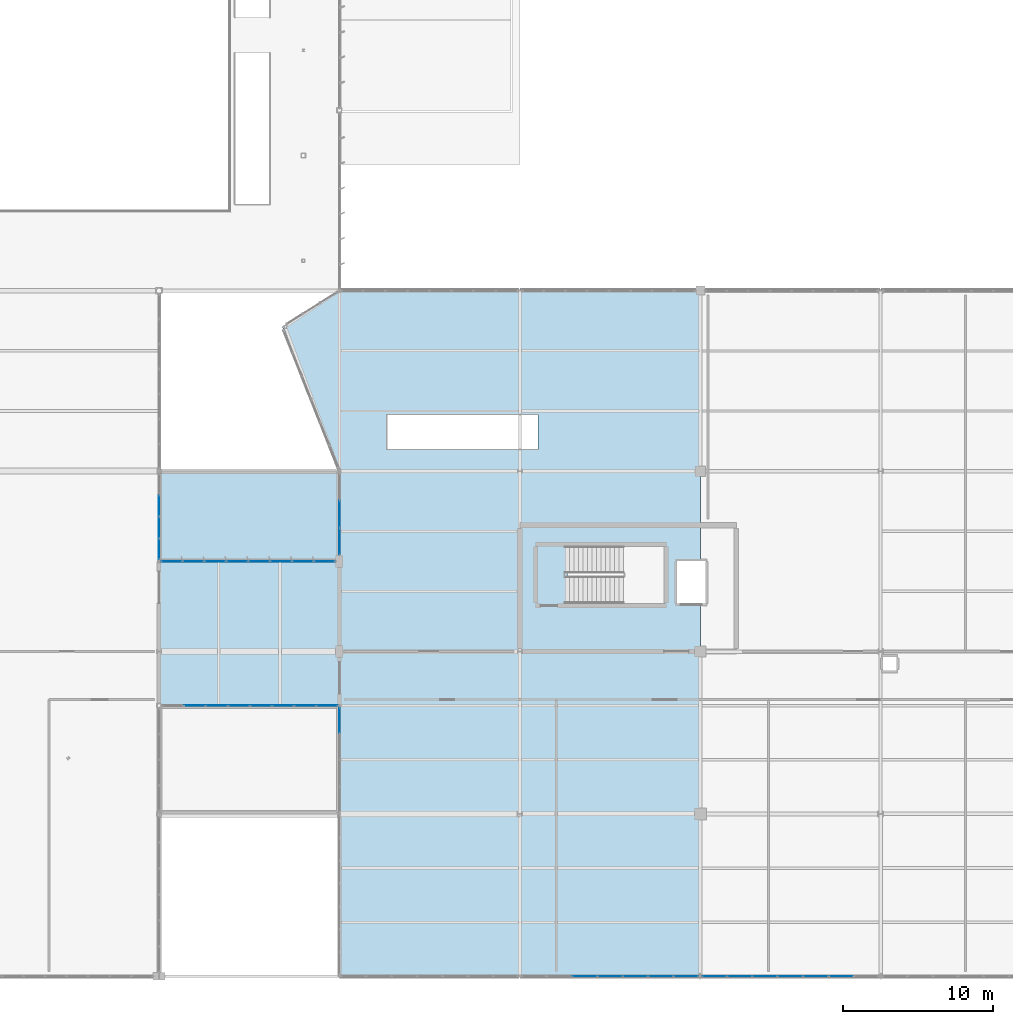
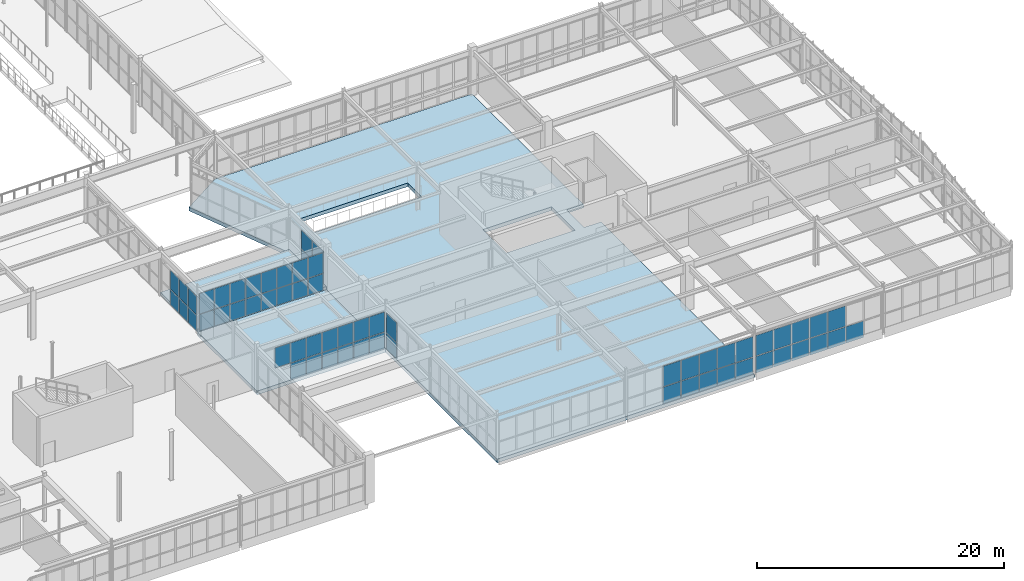
# One storey, part 144 of 226: 62 plates, 3 slabs, 7 elements without a shape of their own.
"""IFC4 building model written with IfcOpenShell, lengths in metres."""

from ifc_helpers import new_model, si_unit, direction, frame, origin, origin_2d, place, context, subcontext, project, spatial, polyline, rectangle, outline, extrude, material, layer, layer_set, type_object, element, aggregate, save


model = new_model("IFC4")

# Units and contexts
model_context = context("Model", 3, precision=1e-05, world=origin(), true_north=direction((0.0, 1.0)))
body_context = subcontext(model_context, "Body", "Model", "MODEL_VIEW")
ifc_project = project(units=[si_unit("LENGTHUNIT", "METRE"), si_unit("AREAUNIT", "SQUARE_METRE"), si_unit("VOLUMEUNIT", "CUBIC_METRE"), si_unit("PLANEANGLEUNIT", "RADIAN"), si_unit("MASSUNIT", "GRAM", prefix="KILO")], contexts=[model_context])

# Site, building, storey
site_placement = place(None, origin())
site = spatial("IfcSite", under=ifc_project, at=site_placement, CompositionType="ELEMENT")
building_placement = place(site_placement, origin())
building = spatial("IfcBuilding", under=site, at=building_placement, Name="Tarnwether General Hospital", CompositionType="ELEMENT")
storey_placement = place(building_placement, frame((0.0, 0.0, 4.800048828125)))
storey = spatial("IfcBuildingStorey", under=building, at=storey_placement, Name="L01", CompositionType="ELEMENT", Elevation=4.800048828125)

# Curtain wall, plates
ifc_material_1 = material(Name="Anodised aluminium", Category="aluminium")
ifc_layer_1 = layer(ifc_material_1, 0.159912109375)
ifc_layer_set_1 = layer_set([ifc_layer_1], Name="Anodised aluminium")
curtain_wall_type_1 = type_object("IfcCurtainWallType", Name="CW-15", PredefinedType="NOTDEFINED", material=ifc_layer_set_1)
curtain_wall_1_placement = place(storey_placement, origin())
curtain_wall_1 = element("IfcCurtainWall", 1, at=curtain_wall_1_placement, inside=storey, type_object=curtain_wall_type_1, Name="Curtain Wall CWG-L01-1440_109-0364", PredefinedType="NOTDEFINED")
ifc_material_2 = material(Name="Double glazed low-E glass", Category="glass")
ifc_layer_2 = layer(ifc_material_2, 0.028076171875)
ifc_layer_set_2 = layer_set([ifc_layer_2], Name="Double glazed low-E glass")
plate_type = type_object("IfcPlateType", Name="PT-CWP1", PredefinedType="CURTAIN_PANEL", material=ifc_layer_set_2)
plate_1_placement = place(storey_placement, frame((144.0, 17.032470703125, 0.06005859375), z_axis=(0.0, 0.0, 1.0), x_axis=(0.0, 1.0, 0.0)))
plate_1 = element("IfcPlate", 2, at=plate_1_placement, type_object=plate_type, Name="CW-15 panel 4.1", PredefinedType="CURTAIN_PANEL", context=body_context, shape_type="SweptSolid", body=[
    extrude(rectangle(XDim=1.675048828125, YDim=0.028076171875, at=origin_2d()), origin(), (0.0, 0.0, 1.0), 1.56591796875),
])
plate_2_placement = place(storey_placement, frame((144.0, 17.032470703125, 1.685791015625), z_axis=(0.0, 0.0, 1.0), x_axis=(0.0, 1.0, 0.0)))
plate_2 = element("IfcPlate", 3, at=plate_2_placement, type_object=plate_type, Name="CW-15 panel 4.2", PredefinedType="CURTAIN_PANEL", context=body_context, shape_type="SweptSolid", body=[
    extrude(rectangle(XDim=1.675048828125, YDim=0.028076171875, at=origin_2d()), origin(), (0.0, 0.0, 1.0), 1.93408203125),
])
aggregate(curtain_wall_1, [plate_1, plate_2])

curtain_wall_2_placement = place(storey_placement, origin())
curtain_wall_2 = element("IfcCurtainWall", 4, at=curtain_wall_2_placement, inside=storey, type_object=curtain_wall_type_1, Name="Curtain Wall CWG-L01-1320_335-0366", PredefinedType="NOTDEFINED")
plate_3_placement = place(storey_placement, frame((132.0, 31.297607421875, 0.059814453125), z_axis=(0.0, 0.0, 1.0), x_axis=(0.0, -1.0, 0.0)))
plate_3 = element("IfcPlate", 5, at=plate_3_placement, type_object=plate_type, Name="CW-15 panel 2.1", PredefinedType="CURTAIN_PANEL", context=body_context, shape_type="SweptSolid", body=[
    extrude(rectangle(XDim=1.38427734375, YDim=0.028076171875, at=origin_2d()), origin(), (0.0, 0.0, 1.0), 1.49853515625),
])
plate_4_placement = place(storey_placement, frame((132.0, 31.297607421875, 1.618408203125), z_axis=(0.0, 0.0, 1.0), x_axis=(0.0, -1.0, 0.0)))
plate_4 = element("IfcPlate", 6, at=plate_4_placement, type_object=plate_type, Name="CW-15 panel 2.2", PredefinedType="CURTAIN_PANEL", context=body_context, shape_type="SweptSolid", body=[
    extrude(rectangle(XDim=1.38427734375, YDim=0.028076171875, at=origin_2d()), origin(), (0.0, 0.0, 1.0), 1.8515625),
])
plate_5_placement = place(storey_placement, frame((132.0, 29.853271484375, 0.059814453125), z_axis=(0.0, 0.0, 1.0), x_axis=(0.0, -1.0, 0.0)))
plate_5 = element("IfcPlate", 7, at=plate_5_placement, type_object=plate_type, Name="CW-15 panel 3.1", PredefinedType="CURTAIN_PANEL", context=body_context, shape_type="SweptSolid", body=[
    extrude(rectangle(XDim=1.38427734375, YDim=0.028076171875, at=origin_2d()), origin(), (0.0, 0.0, 1.0), 1.49853515625),
])
plate_6_placement = place(storey_placement, frame((132.0, 29.853271484375, 1.618408203125), z_axis=(0.0, 0.0, 1.0), x_axis=(0.0, -1.0, 0.0)))
plate_6 = element("IfcPlate", 8, at=plate_6_placement, type_object=plate_type, Name="CW-15 panel 3.2", PredefinedType="CURTAIN_PANEL", context=body_context, shape_type="SweptSolid", body=[
    extrude(rectangle(XDim=1.38427734375, YDim=0.028076171875, at=origin_2d()), origin(), (0.0, 0.0, 1.0), 1.8515625),
])
plate_7_placement = place(storey_placement, frame((132.0, 28.424072265625, 0.059814453125), z_axis=(0.0, 0.0, 1.0), x_axis=(0.0, -1.0, 0.0)))
plate_7 = element("IfcPlate", 9, at=plate_7_placement, type_object=plate_type, Name="CW-15 panel 4.1", PredefinedType="CURTAIN_PANEL", context=body_context, shape_type="SweptSolid", body=[
    extrude(rectangle(XDim=1.354248046875, YDim=0.028076171875, at=origin_2d()), origin(), (0.0, 0.0, 1.0), 1.49853515625),
])
plate_8_placement = place(storey_placement, frame((132.0, 28.424072265625, 1.618408203125), z_axis=(0.0, 0.0, 1.0), x_axis=(0.0, -1.0, 0.0)))
plate_8 = element("IfcPlate", 10, at=plate_8_placement, type_object=plate_type, Name="CW-15 panel 4.2", PredefinedType="CURTAIN_PANEL", context=body_context, shape_type="SweptSolid", body=[
    extrude(rectangle(XDim=1.354248046875, YDim=0.028076171875, at=origin_2d()), origin(), (0.0, 0.0, 1.0), 1.8515625),
])
aggregate(curtain_wall_2, [plate_3, plate_4, plate_5, plate_6, plate_7, plate_8])

curtain_wall_3_placement = place(storey_placement, origin())
curtain_wall_3 = element("IfcCurtainWall", 11, at=curtain_wall_3_placement, inside=storey, type_object=curtain_wall_type_1, Name="Curtain Wall CWG-L01-1440_280-0367", PredefinedType="NOTDEFINED")
plate_9_placement = place(storey_placement, frame((144.0, 28.9326171875, 0.059814453125), z_axis=(0.0, 0.0, 1.0), x_axis=(0.0, 1.0, 0.0)))
plate_9 = element("IfcPlate", 12, at=plate_9_placement, type_object=plate_type, Name="CW-15 panel 1.1", PredefinedType="CURTAIN_PANEL", context=body_context, shape_type="SweptSolid", body=[
    extrude(rectangle(XDim=1.72900390625, YDim=0.028076171875, at=origin_2d()), origin(), (0.0, 0.0, 1.0), 1.49853515625),
])
plate_10_placement = place(storey_placement, frame((144.0, 28.9326171875, 1.618408203125), z_axis=(0.0, 0.0, 1.0), x_axis=(0.0, 1.0, 0.0)))
plate_10 = element("IfcPlate", 13, at=plate_10_placement, type_object=plate_type, Name="CW-15 panel 1.2", PredefinedType="CURTAIN_PANEL", context=body_context, shape_type="SweptSolid", body=[
    extrude(rectangle(XDim=1.72900390625, YDim=0.028076171875, at=origin_2d()), origin(), (0.0, 0.0, 1.0), 1.8515625),
])
plate_11_placement = place(storey_placement, frame((144.0, 30.736572265625, 0.059814453125), z_axis=(0.0, 0.0, 1.0), x_axis=(0.0, 1.0, 0.0)))
plate_11 = element("IfcPlate", 14, at=plate_11_placement, type_object=plate_type, Name="CW-15 panel 2.1", PredefinedType="CURTAIN_PANEL", context=body_context, shape_type="SweptSolid", body=[
    extrude(rectangle(XDim=1.759033203125, YDim=0.028076171875, at=origin_2d()), origin(), (0.0, 0.0, 1.0), 1.49853515625),
])
plate_12_placement = place(storey_placement, frame((144.0, 30.736572265625, 1.618408203125), z_axis=(0.0, 0.0, 1.0), x_axis=(0.0, 1.0, 0.0)))
plate_12 = element("IfcPlate", 15, at=plate_12_placement, type_object=plate_type, Name="CW-15 panel 2.2", PredefinedType="CURTAIN_PANEL", context=body_context, shape_type="SweptSolid", body=[
    extrude(rectangle(XDim=1.759033203125, YDim=0.028076171875, at=origin_2d()), origin(), (0.0, 0.0, 1.0), 1.8515625),
])
aggregate(curtain_wall_3, [plate_9, plate_10, plate_11, plate_12])

ifc_material_3 = material(Name="Anodised aluminium", Category="aluminium")
ifc_layer_3 = layer(ifc_material_3, 0.159912109375)
ifc_layer_set_3 = layer_set([ifc_layer_3], Name="Anodised aluminium")
curtain_wall_type_2 = type_object("IfcCurtainWallType", Name="CW-19", PredefinedType="NOTDEFINED", material=ifc_layer_set_3)
curtain_wall_4_placement = place(storey_placement, origin())
curtain_wall_4 = element("IfcCurtainWall", 16, at=curtain_wall_4_placement, inside=storey, type_object=curtain_wall_type_2, Name="Curtain Wall CWG-L01-1799_0-0384", PredefinedType="NOTDEFINED")
plate_13_placement = place(storey_placement, frame((177.364013671875, 0.0, 0.059814453125), z_axis=(0.0, 0.0, 1.0), x_axis=(-1.0, 0.0, 0.0)))
plate_13 = element("IfcPlate", 17, at=plate_13_placement, type_object=plate_type, Name="CW-19 panel 2.1", PredefinedType="CURTAIN_PANEL", context=body_context, shape_type="SweptSolid", body=[
    extrude(rectangle(XDim=1.627197265625, YDim=0.028076171875, at=origin_2d()), origin(), (0.0, 0.0, 1.0), 1.63037109375),
])
plate_14_placement = place(storey_placement, frame((175.6767578125, 0.0, 0.059814453125), z_axis=(0.0, 0.0, 1.0), x_axis=(-1.0, 0.0, 0.0)))
plate_14 = element("IfcPlate", 18, at=plate_14_placement, type_object=plate_type, Name="CW-19 panel 3.1", PredefinedType="CURTAIN_PANEL", context=body_context, shape_type="SweptSolid", body=[
    extrude(rectangle(XDim=1.627197265625, YDim=0.028076171875, at=origin_2d()), origin(), (0.0, 0.0, 1.0), 1.63037109375),
])
plate_15_placement = place(storey_placement, frame((175.6767578125, 0.0, 1.750244140625), z_axis=(0.0, 0.0, 1.0), x_axis=(-1.0, 0.0, 0.0)))
plate_15 = element("IfcPlate", 19, at=plate_15_placement, type_object=plate_type, Name="CW-19 panel 3.2", PredefinedType="CURTAIN_PANEL", context=body_context, shape_type="SweptSolid", body=[
    extrude(rectangle(XDim=1.627197265625, YDim=0.028076171875, at=origin_2d()), origin(), (0.0, 0.0, 1.0), 2.0126953125),
])
plate_16_placement = place(storey_placement, frame((173.989501953125, 0.0, 0.059814453125), z_axis=(0.0, 0.0, 1.0), x_axis=(-1.0, 0.0, 0.0)))
plate_16 = element("IfcPlate", 20, at=plate_16_placement, type_object=plate_type, Name="CW-19 panel 4.1", PredefinedType="CURTAIN_PANEL", context=body_context, shape_type="SweptSolid", body=[
    extrude(rectangle(XDim=1.627197265625, YDim=0.028076171875, at=origin_2d()), origin(), (0.0, 0.0, 1.0), 1.63037109375),
])
plate_17_placement = place(storey_placement, frame((173.989501953125, 0.0, 1.750244140625), z_axis=(0.0, 0.0, 1.0), x_axis=(-1.0, 0.0, 0.0)))
plate_17 = element("IfcPlate", 21, at=plate_17_placement, type_object=plate_type, Name="CW-19 panel 4.2", PredefinedType="CURTAIN_PANEL", context=body_context, shape_type="SweptSolid", body=[
    extrude(rectangle(XDim=1.627197265625, YDim=0.028076171875, at=origin_2d()), origin(), (0.0, 0.0, 1.0), 2.0126953125),
])
plate_18_placement = place(storey_placement, frame((172.30224609375, 0.0, 0.059814453125), z_axis=(0.0, 0.0, 1.0), x_axis=(-1.0, 0.0, 0.0)))
plate_18 = element("IfcPlate", 22, at=plate_18_placement, type_object=plate_type, Name="CW-19 panel 5.1", PredefinedType="CURTAIN_PANEL", context=body_context, shape_type="SweptSolid", body=[
    extrude(rectangle(XDim=1.627197265625, YDim=0.028076171875, at=origin_2d()), origin(), (0.0, 0.0, 1.0), 1.63037109375),
])
plate_19_placement = place(storey_placement, frame((172.30224609375, 0.0, 1.750244140625), z_axis=(0.0, 0.0, 1.0), x_axis=(-1.0, 0.0, 0.0)))
plate_19 = element("IfcPlate", 23, at=plate_19_placement, type_object=plate_type, Name="CW-19 panel 5.2", PredefinedType="CURTAIN_PANEL", context=body_context, shape_type="SweptSolid", body=[
    extrude(rectangle(XDim=1.627197265625, YDim=0.028076171875, at=origin_2d()), origin(), (0.0, 0.0, 1.0), 2.0126953125),
])
plate_20_placement = place(storey_placement, frame((170.614990234375, 0.0, 0.059814453125), z_axis=(0.0, 0.0, 1.0), x_axis=(-1.0, 0.0, 0.0)))
plate_20 = element("IfcPlate", 24, at=plate_20_placement, type_object=plate_type, Name="CW-19 panel 6.1", PredefinedType="CURTAIN_PANEL", context=body_context, shape_type="SweptSolid", body=[
    extrude(rectangle(XDim=1.627197265625, YDim=0.028076171875, at=origin_2d()), origin(), (0.0, 0.0, 1.0), 1.63037109375),
])
plate_21_placement = place(storey_placement, frame((170.614990234375, 0.0, 1.750244140625), z_axis=(0.0, 0.0, 1.0), x_axis=(-1.0, 0.0, 0.0)))
plate_21 = element("IfcPlate", 25, at=plate_21_placement, type_object=plate_type, Name="CW-19 panel 6.2", PredefinedType="CURTAIN_PANEL", context=body_context, shape_type="SweptSolid", body=[
    extrude(rectangle(XDim=1.627197265625, YDim=0.028076171875, at=origin_2d()), origin(), (0.0, 0.0, 1.0), 2.0126953125),
])
plate_22_placement = place(storey_placement, frame((168.942626953125, 0.0, 0.059814453125), z_axis=(0.0, 0.0, 1.0), x_axis=(-1.0, 0.0, 0.0)))
plate_22 = element("IfcPlate", 26, at=plate_22_placement, type_object=plate_type, Name="CW-19 panel 7.1", PredefinedType="CURTAIN_PANEL", context=body_context, shape_type="SweptSolid", body=[
    extrude(rectangle(XDim=1.59716796875, YDim=0.028076171875, at=origin_2d()), origin(), (0.0, 0.0, 1.0), 1.63037109375),
])
plate_23_placement = place(storey_placement, frame((168.942626953125, 0.0, 1.750244140625), z_axis=(0.0, 0.0, 1.0), x_axis=(-1.0, 0.0, 0.0)))
plate_23 = element("IfcPlate", 27, at=plate_23_placement, type_object=plate_type, Name="CW-19 panel 7.2", PredefinedType="CURTAIN_PANEL", context=body_context, shape_type="SweptSolid", body=[
    extrude(rectangle(XDim=1.59716796875, YDim=0.028076171875, at=origin_2d()), origin(), (0.0, 0.0, 1.0), 2.0126953125),
])
aggregate(curtain_wall_4, [plate_13, plate_14, plate_15, plate_16, plate_17, plate_18, plate_19, plate_20, plate_21, plate_22, plate_23])

curtain_wall_5_placement = place(storey_placement, origin())
curtain_wall_5 = element("IfcCurtainWall", 28, at=curtain_wall_5_placement, inside=storey, type_object=curtain_wall_type_2, Name="Curtain Wall CWG-L01-1679_0-0385", PredefinedType="NOTDEFINED")
plate_24_placement = place(storey_placement, frame((167.0556640625, 0.0, 0.06005859375), z_axis=(0.0, 0.0, 1.0), x_axis=(-1.0, 0.0, 0.0)))
plate_24 = element("IfcPlate", 29, at=plate_24_placement, type_object=plate_type, Name="CW-19 panel 1.1", PredefinedType="CURTAIN_PANEL", context=body_context, shape_type="SweptSolid", body=[
    extrude(rectangle(XDim=1.600341796875, YDim=0.028076171875, at=origin_2d()), origin(), (0.0, 0.0, 1.0), 1.628173828125),
])
plate_25_placement = place(storey_placement, frame((167.0556640625, 0.0, 1.748046875), z_axis=(0.0, 0.0, 1.0), x_axis=(-1.0, 0.0, 0.0)))
plate_25 = element("IfcPlate", 30, at=plate_25_placement, type_object=plate_type, Name="CW-19 panel 1.2", PredefinedType="CURTAIN_PANEL", context=body_context, shape_type="SweptSolid", body=[
    extrude(rectangle(XDim=1.600341796875, YDim=0.028076171875, at=origin_2d()), origin(), (0.0, 0.0, 1.0), 2.010009765625),
])
plate_26_placement = place(storey_placement, frame((165.38037109375, 0.0, 0.06005859375), z_axis=(0.0, 0.0, 1.0), x_axis=(-1.0, 0.0, 0.0)))
plate_26 = element("IfcPlate", 31, at=plate_26_placement, type_object=plate_type, Name="CW-19 panel 2.1", PredefinedType="CURTAIN_PANEL", context=body_context, shape_type="SweptSolid", body=[
    extrude(rectangle(XDim=1.63037109375, YDim=0.028076171875, at=origin_2d()), origin(), (0.0, 0.0, 1.0), 1.628173828125),
])
plate_27_placement = place(storey_placement, frame((165.38037109375, 0.0, 1.748046875), z_axis=(0.0, 0.0, 1.0), x_axis=(-1.0, 0.0, 0.0)))
plate_27 = element("IfcPlate", 32, at=plate_27_placement, type_object=plate_type, Name="CW-19 panel 2.2", PredefinedType="CURTAIN_PANEL", context=body_context, shape_type="SweptSolid", body=[
    extrude(rectangle(XDim=1.63037109375, YDim=0.028076171875, at=origin_2d()), origin(), (0.0, 0.0, 1.0), 2.010009765625),
])
plate_28_placement = place(storey_placement, frame((163.68994140625, 0.0, 0.06005859375), z_axis=(0.0, 0.0, 1.0), x_axis=(-1.0, 0.0, 0.0)))
plate_28 = element("IfcPlate", 33, at=plate_28_placement, type_object=plate_type, Name="CW-19 panel 3.1", PredefinedType="CURTAIN_PANEL", context=body_context, shape_type="SweptSolid", body=[
    extrude(rectangle(XDim=1.63037109375, YDim=0.028076171875, at=origin_2d()), origin(), (0.0, 0.0, 1.0), 1.628173828125),
])
plate_29_placement = place(storey_placement, frame((163.68994140625, 0.0, 1.748046875), z_axis=(0.0, 0.0, 1.0), x_axis=(-1.0, 0.0, 0.0)))
plate_29 = element("IfcPlate", 34, at=plate_29_placement, type_object=plate_type, Name="CW-19 panel 3.2", PredefinedType="CURTAIN_PANEL", context=body_context, shape_type="SweptSolid", body=[
    extrude(rectangle(XDim=1.63037109375, YDim=0.028076171875, at=origin_2d()), origin(), (0.0, 0.0, 1.0), 2.010009765625),
])
plate_30_placement = place(storey_placement, frame((161.99951171875, 0.0, 0.06005859375), z_axis=(0.0, 0.0, 1.0), x_axis=(-1.0, 0.0, 0.0)))
plate_30 = element("IfcPlate", 35, at=plate_30_placement, type_object=plate_type, Name="CW-19 panel 4.1", PredefinedType="CURTAIN_PANEL", context=body_context, shape_type="SweptSolid", body=[
    extrude(rectangle(XDim=1.63037109375, YDim=0.028076171875, at=origin_2d()), origin(), (0.0, 0.0, 1.0), 1.628173828125),
])
plate_31_placement = place(storey_placement, frame((161.99951171875, 0.0, 1.748046875), z_axis=(0.0, 0.0, 1.0), x_axis=(-1.0, 0.0, 0.0)))
plate_31 = element("IfcPlate", 36, at=plate_31_placement, type_object=plate_type, Name="CW-19 panel 4.2", PredefinedType="CURTAIN_PANEL", context=body_context, shape_type="SweptSolid", body=[
    extrude(rectangle(XDim=1.63037109375, YDim=0.028076171875, at=origin_2d()), origin(), (0.0, 0.0, 1.0), 2.010009765625),
])
plate_32_placement = place(storey_placement, frame((160.30908203125, 0.0, 0.06005859375), z_axis=(0.0, 0.0, 1.0), x_axis=(-1.0, 0.0, 0.0)))
plate_32 = element("IfcPlate", 37, at=plate_32_placement, type_object=plate_type, Name="CW-19 panel 5.1", PredefinedType="CURTAIN_PANEL", context=body_context, shape_type="SweptSolid", body=[
    extrude(rectangle(XDim=1.63037109375, YDim=0.028076171875, at=origin_2d()), origin(), (0.0, 0.0, 1.0), 1.628173828125),
])
plate_33_placement = place(storey_placement, frame((160.30908203125, 0.0, 1.748046875), z_axis=(0.0, 0.0, 1.0), x_axis=(-1.0, 0.0, 0.0)))
plate_33 = element("IfcPlate", 38, at=plate_33_placement, type_object=plate_type, Name="CW-19 panel 5.2", PredefinedType="CURTAIN_PANEL", context=body_context, shape_type="SweptSolid", body=[
    extrude(rectangle(XDim=1.63037109375, YDim=0.028076171875, at=origin_2d()), origin(), (0.0, 0.0, 1.0), 2.010009765625),
])
aggregate(curtain_wall_5, [plate_24, plate_25, plate_26, plate_27, plate_28, plate_29, plate_30, plate_31, plate_32, plate_33])

ifc_material_4 = material(Name="Anodised aluminium", Category="aluminium")
ifc_layer_4 = layer(ifc_material_4, 0.159912109375)
ifc_layer_set_4 = layer_set([ifc_layer_4], Name="Anodised aluminium")
curtain_wall_type_3 = type_object("IfcCurtainWallType", Name="CW-21", PredefinedType="NOTDEFINED", material=ifc_layer_set_4)
curtain_wall_6_placement = place(storey_placement, origin())
curtain_wall_6 = element("IfcCurtainWall", 39, at=curtain_wall_6_placement, inside=storey, type_object=curtain_wall_type_3, Name="Curtain Wall CWG-L01-1321_276-0399", PredefinedType="NOTDEFINED")
plate_34_placement = place(storey_placement, frame((132.82763671875, 27.60009765625, 0.06005859375), z_axis=(0.0, 0.0, 1.0), x_axis=(1.0, 0.0, 0.0)))
plate_34 = element("IfcPlate", 40, at=plate_34_placement, type_object=plate_type, Name="CW-21 panel 1.1", PredefinedType="CURTAIN_PANEL", context=body_context, shape_type="SweptSolid", body=[
    extrude(rectangle(XDim=1.3671875, YDim=0.028076171875, at=origin_2d()), origin(), (0.0, 0.0, 1.0), 1.628173828125),
])
plate_35_placement = place(storey_placement, frame((132.82763671875, 27.60009765625, 1.748046875), z_axis=(0.0, 0.0, 1.0), x_axis=(1.0, 0.0, 0.0)))
plate_35 = element("IfcPlate", 41, at=plate_35_placement, type_object=plate_type, Name="CW-21 panel 1.2", PredefinedType="CURTAIN_PANEL", context=body_context, shape_type="SweptSolid", body=[
    extrude(rectangle(XDim=1.3671875, YDim=0.028076171875, at=origin_2d()), origin(), (0.0, 0.0, 1.0), 2.010009765625),
])
plate_36_placement = place(storey_placement, frame((134.269775390625, 27.60009765625, 0.06005859375), z_axis=(0.0, 0.0, 1.0), x_axis=(1.0, 0.0, 0.0)))
plate_36 = element("IfcPlate", 42, at=plate_36_placement, type_object=plate_type, Name="CW-21 panel 2.1", PredefinedType="CURTAIN_PANEL", context=body_context, shape_type="SweptSolid", body=[
    extrude(rectangle(XDim=1.397216796875, YDim=0.028076171875, at=origin_2d()), origin(), (0.0, 0.0, 1.0), 1.628173828125),
])
plate_37_placement = place(storey_placement, frame((134.269775390625, 27.60009765625, 1.748046875), z_axis=(0.0, 0.0, 1.0), x_axis=(1.0, 0.0, 0.0)))
plate_37 = element("IfcPlate", 43, at=plate_37_placement, type_object=plate_type, Name="CW-21 panel 2.2", PredefinedType="CURTAIN_PANEL", context=body_context, shape_type="SweptSolid", body=[
    extrude(rectangle(XDim=1.397216796875, YDim=0.028076171875, at=origin_2d()), origin(), (0.0, 0.0, 1.0), 2.010009765625),
])
plate_38_placement = place(storey_placement, frame((135.72705078125, 27.60009765625, 0.06005859375), z_axis=(0.0, 0.0, 1.0), x_axis=(1.0, 0.0, 0.0)))
plate_38 = element("IfcPlate", 44, at=plate_38_placement, type_object=plate_type, Name="CW-21 panel 3.1", PredefinedType="CURTAIN_PANEL", context=body_context, shape_type="SweptSolid", body=[
    extrude(rectangle(XDim=1.397216796875, YDim=0.028076171875, at=origin_2d()), origin(), (0.0, 0.0, 1.0), 1.628173828125),
])
plate_39_placement = place(storey_placement, frame((135.72705078125, 27.60009765625, 1.748046875), z_axis=(0.0, 0.0, 1.0), x_axis=(1.0, 0.0, 0.0)))
plate_39 = element("IfcPlate", 45, at=plate_39_placement, type_object=plate_type, Name="CW-21 panel 3.2", PredefinedType="CURTAIN_PANEL", context=body_context, shape_type="SweptSolid", body=[
    extrude(rectangle(XDim=1.397216796875, YDim=0.028076171875, at=origin_2d()), origin(), (0.0, 0.0, 1.0), 2.010009765625),
])
plate_40_placement = place(storey_placement, frame((137.184326171875, 27.60009765625, 0.06005859375), z_axis=(0.0, 0.0, 1.0), x_axis=(1.0, 0.0, 0.0)))
plate_40 = element("IfcPlate", 46, at=plate_40_placement, type_object=plate_type, Name="CW-21 panel 4.1", PredefinedType="CURTAIN_PANEL", context=body_context, shape_type="SweptSolid", body=[
    extrude(rectangle(XDim=1.397216796875, YDim=0.028076171875, at=origin_2d()), origin(), (0.0, 0.0, 1.0), 1.628173828125),
])
plate_41_placement = place(storey_placement, frame((137.184326171875, 27.60009765625, 1.748046875), z_axis=(0.0, 0.0, 1.0), x_axis=(1.0, 0.0, 0.0)))
plate_41 = element("IfcPlate", 47, at=plate_41_placement, type_object=plate_type, Name="CW-21 panel 4.2", PredefinedType="CURTAIN_PANEL", context=body_context, shape_type="SweptSolid", body=[
    extrude(rectangle(XDim=1.397216796875, YDim=0.028076171875, at=origin_2d()), origin(), (0.0, 0.0, 1.0), 2.010009765625),
])
plate_42_placement = place(storey_placement, frame((138.6416015625, 27.60009765625, 0.06005859375), z_axis=(0.0, 0.0, 1.0), x_axis=(1.0, 0.0, 0.0)))
plate_42 = element("IfcPlate", 48, at=plate_42_placement, type_object=plate_type, Name="CW-21 panel 5.1", PredefinedType="CURTAIN_PANEL", context=body_context, shape_type="SweptSolid", body=[
    extrude(rectangle(XDim=1.397216796875, YDim=0.028076171875, at=origin_2d()), origin(), (0.0, 0.0, 1.0), 1.628173828125),
])
plate_43_placement = place(storey_placement, frame((138.6416015625, 27.60009765625, 1.748046875), z_axis=(0.0, 0.0, 1.0), x_axis=(1.0, 0.0, 0.0)))
plate_43 = element("IfcPlate", 49, at=plate_43_placement, type_object=plate_type, Name="CW-21 panel 5.2", PredefinedType="CURTAIN_PANEL", context=body_context, shape_type="SweptSolid", body=[
    extrude(rectangle(XDim=1.397216796875, YDim=0.028076171875, at=origin_2d()), origin(), (0.0, 0.0, 1.0), 2.010009765625),
])
plate_44_placement = place(storey_placement, frame((140.098876953125, 27.60009765625, 0.06005859375), z_axis=(0.0, 0.0, 1.0), x_axis=(1.0, 0.0, 0.0)))
plate_44 = element("IfcPlate", 50, at=plate_44_placement, type_object=plate_type, Name="CW-21 panel 6.1", PredefinedType="CURTAIN_PANEL", context=body_context, shape_type="SweptSolid", body=[
    extrude(rectangle(XDim=1.397216796875, YDim=0.028076171875, at=origin_2d()), origin(), (0.0, 0.0, 1.0), 1.628173828125),
])
plate_45_placement = place(storey_placement, frame((140.098876953125, 27.60009765625, 1.748046875), z_axis=(0.0, 0.0, 1.0), x_axis=(1.0, 0.0, 0.0)))
plate_45 = element("IfcPlate", 51, at=plate_45_placement, type_object=plate_type, Name="CW-21 panel 6.2", PredefinedType="CURTAIN_PANEL", context=body_context, shape_type="SweptSolid", body=[
    extrude(rectangle(XDim=1.397216796875, YDim=0.028076171875, at=origin_2d()), origin(), (0.0, 0.0, 1.0), 2.010009765625),
])
plate_46_placement = place(storey_placement, frame((141.55615234375, 27.60009765625, 0.06005859375), z_axis=(0.0, 0.0, 1.0), x_axis=(1.0, 0.0, 0.0)))
plate_46 = element("IfcPlate", 52, at=plate_46_placement, type_object=plate_type, Name="CW-21 panel 7.1", PredefinedType="CURTAIN_PANEL", context=body_context, shape_type="SweptSolid", body=[
    extrude(rectangle(XDim=1.397216796875, YDim=0.028076171875, at=origin_2d()), origin(), (0.0, 0.0, 1.0), 1.628173828125),
])
plate_47_placement = place(storey_placement, frame((141.55615234375, 27.60009765625, 1.748046875), z_axis=(0.0, 0.0, 1.0), x_axis=(1.0, 0.0, 0.0)))
plate_47 = element("IfcPlate", 53, at=plate_47_placement, type_object=plate_type, Name="CW-21 panel 7.2", PredefinedType="CURTAIN_PANEL", context=body_context, shape_type="SweptSolid", body=[
    extrude(rectangle(XDim=1.397216796875, YDim=0.028076171875, at=origin_2d()), origin(), (0.0, 0.0, 1.0), 2.010009765625),
])
plate_48_placement = place(storey_placement, frame((142.998291015625, 27.60009765625, 0.06005859375), z_axis=(0.0, 0.0, 1.0), x_axis=(1.0, 0.0, 0.0)))
plate_48 = element("IfcPlate", 54, at=plate_48_placement, type_object=plate_type, Name="CW-21 panel 8.1", PredefinedType="CURTAIN_PANEL", context=body_context, shape_type="SweptSolid", body=[
    extrude(rectangle(XDim=1.3671875, YDim=0.028076171875, at=origin_2d()), origin(), (0.0, 0.0, 1.0), 1.628173828125),
])
plate_49_placement = place(storey_placement, frame((142.998291015625, 27.60009765625, 1.748046875), z_axis=(0.0, 0.0, 1.0), x_axis=(1.0, 0.0, 0.0)))
plate_49 = element("IfcPlate", 55, at=plate_49_placement, type_object=plate_type, Name="CW-21 panel 8.2", PredefinedType="CURTAIN_PANEL", context=body_context, shape_type="SweptSolid", body=[
    extrude(rectangle(XDim=1.3671875, YDim=0.028076171875, at=origin_2d()), origin(), (0.0, 0.0, 1.0), 2.010009765625),
])
aggregate(curtain_wall_6, [plate_34, plate_35, plate_36, plate_37, plate_38, plate_39, plate_40, plate_41, plate_42, plate_43, plate_44, plate_45, plate_46, plate_47, plate_48, plate_49])

ifc_material_5 = material(Name="Anodised aluminium", Category="aluminium")
ifc_layer_5 = layer(ifc_material_5, 0.159912109375)
ifc_layer_set_5 = layer_set([ifc_layer_5], Name="Anodised aluminium")
curtain_wall_type_4 = type_object("IfcCurtainWallType", Name="CW-22", PredefinedType="NOTDEFINED", material=ifc_layer_set_5)
curtain_wall_7_placement = place(storey_placement, origin())
curtain_wall_7 = element("IfcCurtainWall", 56, at=curtain_wall_7_placement, inside=storey, type_object=curtain_wall_type_4, Name="Curtain Wall CWG-L01-1439_180-0400", PredefinedType="NOTDEFINED")
plate_50_placement = place(storey_placement, frame((143.17822265625, 18.0, 0.06005859375), z_axis=(0.0, 0.0, 1.0), x_axis=(-1.0, 0.0, 0.0)))
plate_50 = element("IfcPlate", 57, at=plate_50_placement, type_object=plate_type, Name="CW-22 panel 1.1", PredefinedType="CURTAIN_PANEL", context=body_context, shape_type="SweptSolid", body=[
    extrude(rectangle(XDim=1.38134765625, YDim=0.028076171875, at=origin_2d()), origin(), (0.0, 0.0, 1.0), 1.592041015625),
])
plate_51_placement = place(storey_placement, frame((143.17822265625, 18.0, 1.712158203125), z_axis=(0.0, 0.0, 1.0), x_axis=(-1.0, 0.0, 0.0)))
plate_51 = element("IfcPlate", 58, at=plate_51_placement, type_object=plate_type, Name="CW-22 panel 1.2", PredefinedType="CURTAIN_PANEL", context=body_context, shape_type="SweptSolid", body=[
    extrude(rectangle(XDim=1.38134765625, YDim=0.028076171875, at=origin_2d()), origin(), (0.0, 0.0, 1.0), 1.9658203125),
])
plate_52_placement = place(storey_placement, frame((141.721923828125, 18.0, 0.06005859375), z_axis=(0.0, 0.0, 1.0), x_axis=(-1.0, 0.0, 0.0)))
plate_52 = element("IfcPlate", 59, at=plate_52_placement, type_object=plate_type, Name="CW-22 panel 2.1", PredefinedType="CURTAIN_PANEL", context=body_context, shape_type="SweptSolid", body=[
    extrude(rectangle(XDim=1.411376953125, YDim=0.028076171875, at=origin_2d()), origin(), (0.0, 0.0, 1.0), 1.592041015625),
])
plate_53_placement = place(storey_placement, frame((141.721923828125, 18.0, 1.712158203125), z_axis=(0.0, 0.0, 1.0), x_axis=(-1.0, 0.0, 0.0)))
plate_53 = element("IfcPlate", 60, at=plate_53_placement, type_object=plate_type, Name="CW-22 panel 2.2", PredefinedType="CURTAIN_PANEL", context=body_context, shape_type="SweptSolid", body=[
    extrude(rectangle(XDim=1.411376953125, YDim=0.028076171875, at=origin_2d()), origin(), (0.0, 0.0, 1.0), 1.9658203125),
])
plate_54_placement = place(storey_placement, frame((140.25048828125, 18.0, 0.06005859375), z_axis=(0.0, 0.0, 1.0), x_axis=(-1.0, 0.0, 0.0)))
plate_54 = element("IfcPlate", 61, at=plate_54_placement, type_object=plate_type, Name="CW-22 panel 3.1", PredefinedType="CURTAIN_PANEL", context=body_context, shape_type="SweptSolid", body=[
    extrude(rectangle(XDim=1.411376953125, YDim=0.028076171875, at=origin_2d()), origin(), (0.0, 0.0, 1.0), 1.592041015625),
])
plate_55_placement = place(storey_placement, frame((140.25048828125, 18.0, 1.712158203125), z_axis=(0.0, 0.0, 1.0), x_axis=(-1.0, 0.0, 0.0)))
plate_55 = element("IfcPlate", 62, at=plate_55_placement, type_object=plate_type, Name="CW-22 panel 3.2", PredefinedType="CURTAIN_PANEL", context=body_context, shape_type="SweptSolid", body=[
    extrude(rectangle(XDim=1.411376953125, YDim=0.028076171875, at=origin_2d()), origin(), (0.0, 0.0, 1.0), 1.9658203125),
])
plate_56_placement = place(storey_placement, frame((138.779296875, 18.0, 0.06005859375), z_axis=(0.0, 0.0, 1.0), x_axis=(-1.0, 0.0, 0.0)))
plate_56 = element("IfcPlate", 63, at=plate_56_placement, type_object=plate_type, Name="CW-22 panel 4.1", PredefinedType="CURTAIN_PANEL", context=body_context, shape_type="SweptSolid", body=[
    extrude(rectangle(XDim=1.411376953125, YDim=0.028076171875, at=origin_2d()), origin(), (0.0, 0.0, 1.0), 1.592041015625),
])
plate_57_placement = place(storey_placement, frame((138.779296875, 18.0, 1.712158203125), z_axis=(0.0, 0.0, 1.0), x_axis=(-1.0, 0.0, 0.0)))
plate_57 = element("IfcPlate", 64, at=plate_57_placement, type_object=plate_type, Name="CW-22 panel 4.2", PredefinedType="CURTAIN_PANEL", context=body_context, shape_type="SweptSolid", body=[
    extrude(rectangle(XDim=1.411376953125, YDim=0.028076171875, at=origin_2d()), origin(), (0.0, 0.0, 1.0), 1.9658203125),
])
plate_58_placement = place(storey_placement, frame((137.307861328125, 18.0, 0.06005859375), z_axis=(0.0, 0.0, 1.0), x_axis=(-1.0, 0.0, 0.0)))
plate_58 = element("IfcPlate", 65, at=plate_58_placement, type_object=plate_type, Name="CW-22 panel 5.1", PredefinedType="CURTAIN_PANEL", context=body_context, shape_type="SweptSolid", body=[
    extrude(rectangle(XDim=1.411376953125, YDim=0.028076171875, at=origin_2d()), origin(), (0.0, 0.0, 1.0), 1.592041015625),
])
plate_59_placement = place(storey_placement, frame((137.307861328125, 18.0, 1.712158203125), z_axis=(0.0, 0.0, 1.0), x_axis=(-1.0, 0.0, 0.0)))
plate_59 = element("IfcPlate", 66, at=plate_59_placement, type_object=plate_type, Name="CW-22 panel 5.2", PredefinedType="CURTAIN_PANEL", context=body_context, shape_type="SweptSolid", body=[
    extrude(rectangle(XDim=1.411376953125, YDim=0.028076171875, at=origin_2d()), origin(), (0.0, 0.0, 1.0), 1.9658203125),
])
plate_60_placement = place(storey_placement, frame((135.83642578125, 18.0, 0.06005859375), z_axis=(0.0, 0.0, 1.0), x_axis=(-1.0, 0.0, 0.0)))
plate_60 = element("IfcPlate", 67, at=plate_60_placement, type_object=plate_type, Name="CW-22 panel 6.1", PredefinedType="CURTAIN_PANEL", context=body_context, shape_type="SweptSolid", body=[
    extrude(rectangle(XDim=1.411376953125, YDim=0.028076171875, at=origin_2d()), origin(), (0.0, 0.0, 1.0), 1.592041015625),
])
plate_61_placement = place(storey_placement, frame((135.83642578125, 18.0, 1.712158203125), z_axis=(0.0, 0.0, 1.0), x_axis=(-1.0, 0.0, 0.0)))
plate_61 = element("IfcPlate", 68, at=plate_61_placement, type_object=plate_type, Name="CW-22 panel 6.2", PredefinedType="CURTAIN_PANEL", context=body_context, shape_type="SweptSolid", body=[
    extrude(rectangle(XDim=1.411376953125, YDim=0.028076171875, at=origin_2d()), origin(), (0.0, 0.0, 1.0), 1.9658203125),
])
plate_62_placement = place(storey_placement, frame((134.364990234375, 18.0, 1.712158203125), z_axis=(0.0, 0.0, 1.0), x_axis=(-1.0, 0.0, 0.0)))
plate_62 = element("IfcPlate", 69, at=plate_62_placement, type_object=plate_type, Name="CW-22 panel 7.2", PredefinedType="CURTAIN_PANEL", context=body_context, shape_type="SweptSolid", body=[
    extrude(rectangle(XDim=1.411376953125, YDim=0.028076171875, at=origin_2d()), origin(), (0.0, 0.0, 1.0), 1.9658203125),
])
aggregate(curtain_wall_7, [plate_50, plate_51, plate_52, plate_53, plate_54, plate_55, plate_56, plate_57, plate_58, plate_59, plate_60, plate_61, plate_62])

# Slabs
ifc_material_6 = material(Name="Concrete 40 MPa", Category="concrete")
ifc_layer_6 = layer(ifc_material_6, 0.35498046875)
ifc_layer_set_6 = layer_set([ifc_layer_6], Name="Concrete 40 MPa")
slab_type_1 = type_object("IfcSlabType", Name="SL-FL220", PredefinedType="FLOOR", material=ifc_layer_set_6)
slab_1_placement = place(storey_placement, frame((0.0, 0.0, -0.35498046875)))
element("IfcSlab", 70, at=slab_1_placement, inside=storey, type_object=slab_type_1, Name="L01 South Court Link Bridge Floor SL-L01-BRS", PredefinedType="FLOOR", context=body_context, shape_type="SweptSolid", body=[
    extrude(outline(polyline([(144.0, 18.0), (144.0, 27.60009765625), (132.0, 27.60009765625), (132.0, 18.0), (144.0, 18.0)])), origin(), (0.0, 0.0, 1.0), 0.35498046875),
])
slab_2_placement = place(storey_placement, frame((0.0, 0.0, -0.35498046875)))
element("IfcSlab", 71, at=slab_2_placement, inside=storey, type_object=slab_type_1, Name="L01 Outpatient South-West Shard Floor SL-L01-V6S1", PredefinedType="FLOOR", context=body_context, shape_type="SweptSolid", body=[
    extrude(outline(polyline([(140.199951171875, 43.199951171875), (144.0, 45.60009765625), (168.0, 45.60009765625), (168.0, 27.6298828125), (166.419921875, 27.6298828125), (166.419921875, 24.77001953125), (168.0, 24.77001953125), (168.0, 0.0), (144.0, 0.0), (144.0, 33.60009765625), (140.199951171875, 43.199951171875)]), holes=[polyline([(159.179931640625, 28.60009765625), (159.179931640625, 24.800048828125), (165.60009765625, 24.800048828125), (165.60009765625, 28.60009765625), (159.179931640625, 28.60009765625)]), polyline([(157.219970703125, 35.080078125), (157.219970703125, 37.320068359375), (147.179931640625, 37.320068359375), (147.179931640625, 35.080078125), (157.219970703125, 35.080078125)])]), origin(), (0.0, 0.0, 1.0), 0.35498046875),
])
ifc_material_7 = material(Name="Concrete 40 MPa", Category="concrete")
ifc_layer_7 = layer(ifc_material_7, 0.31005859375)
ifc_layer_set_7 = layer_set([ifc_layer_7], Name="Concrete 40 MPa")
slab_type_2 = type_object("IfcSlabType", Name="SL-RF160", PredefinedType="ROOF", material=ifc_layer_set_7)
slab_3_placement = place(storey_placement, origin())
element("IfcSlab", 72, at=slab_3_placement, inside=storey, type_object=slab_type_2, Name="South Public Passage Roof North SL-L01-PASRFS2", PredefinedType="ROOF", context=body_context, shape_type="SweptSolid", body=[
    extrude(outline(polyline([(144.0, 27.60009765625), (144.0, 33.60009765625), (132.0, 33.60009765625), (132.0, 27.60009765625), (144.0, 27.60009765625)])), origin(), (0.0, 0.0, 1.0), 0.31005859375),
])

save(model, "model.ifc")
